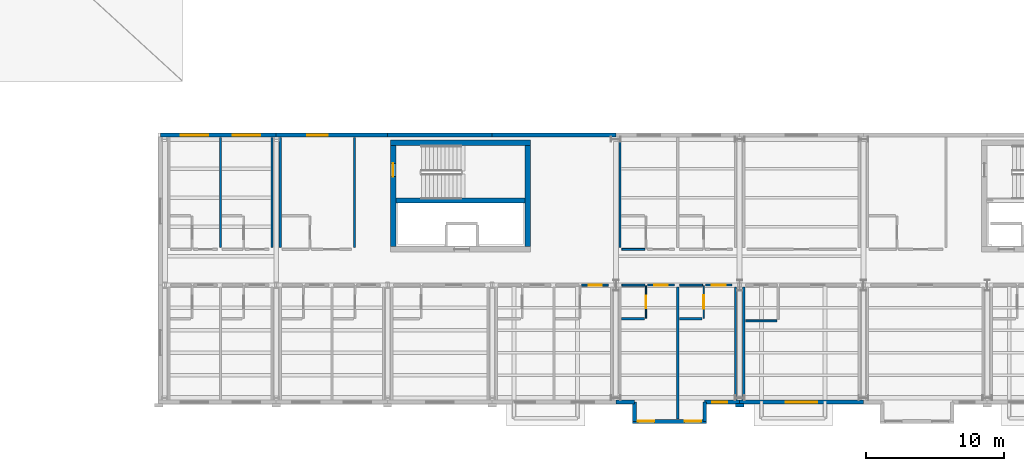
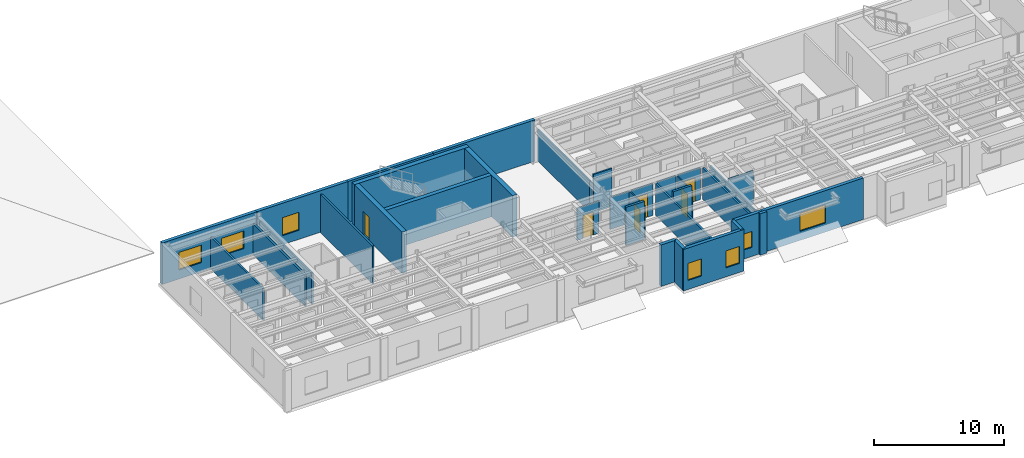
# One storey, part 27 of 46: 34 walls, 7 windows, 6 doors, 13 openings.
"""IFC4 building model written with IfcOpenShell, lengths in metres."""

from ifc_helpers import new_model, si_unit, direction, frame, frame_2d, origin, place, context, subcontext, project, spatial, rectangle, extrude, material, layer, layer_set, type_object, element, fill, save


model = new_model("IFC4")

# Units and contexts
model_context = context("Model", 3, precision=1e-05, world=origin(), true_north=direction((0.0, 1.0)))
body_context = subcontext(model_context, "Body", "Model", "MODEL_VIEW")
ifc_project = project(units=[si_unit("LENGTHUNIT", "METRE"), si_unit("AREAUNIT", "SQUARE_METRE"), si_unit("VOLUMEUNIT", "CUBIC_METRE"), si_unit("PLANEANGLEUNIT", "RADIAN"), si_unit("MASSUNIT", "GRAM", prefix="KILO")], contexts=[model_context])

# Site, building, storey
site_placement = place(None, origin())
site = spatial("IfcSite", under=ifc_project, at=site_placement, CompositionType="ELEMENT")
building_placement = place(site_placement, origin())
building = spatial("IfcBuilding", under=site, at=building_placement, Name="Sollismere Congress Hotel", CompositionType="ELEMENT")
storey_placement = place(building_placement, frame((0.0, 0.0, 19.5)))
storey = spatial("IfcBuildingStorey", under=building, at=storey_placement, Name="L04", CompositionType="ELEMENT", Elevation=19.5)

# Wall
ifc_material_1 = material(Name="Colorado Buff Sandstone Rainscreen on Insulated Backup", Category="masonry")
ifc_layer_1 = layer(ifc_material_1, 0.284912109375, Name="Colorado Buff Sandstone Rainscreen on Insulated Backup")
ifc_layer_set_1 = layer_set([ifc_layer_1], Name="Colorado Buff Sandstone Rainscreen on Insulated Backup")
wall_type_1 = type_object("IfcWallType", Name="WL-EXT285", PredefinedType="STANDARD", material=ifc_layer_set_1)
wall_1_placement = place(storey_placement, frame((67.0, -0.31005859375, 0.0), z_axis=(0.0, 0.0, 1.0), x_axis=(1.0, 0.0, 0.0)))
element("IfcWall", 1, at=wall_1_placement, inside=storey, type_object=wall_type_1, Name="Exterior wall EW-L04-484", PredefinedType="STANDARD", context=body_context, shape_type="SweptSolid", body=[
    extrude(rectangle(XDim=1.340087890625, YDim=0.284912109375, at=frame_2d((0.669921875, 0.0))), origin(), (0.0, 0.0, 1.0), 3.89990234375),
])

# Wall, opening, window
wall_2_placement = place(storey_placement, frame((73.4599609375, -0.31005859375, 0.0), z_axis=(0.0, 0.0, 1.0), x_axis=(1.0, 0.0, 0.0)))
wall_2 = element("IfcWall", 2, at=wall_2_placement, inside=storey, type_object=wall_type_1, Name="Exterior wall EW-L04-485", PredefinedType="STANDARD", context=body_context, shape_type="SweptSolid", body=[
    extrude(rectangle(XDim=2.5400390625, YDim=0.284912109375, at=frame_2d((1.27001953125, 0.0))), origin(), (0.0, 0.0, 1.0), 3.89990234375),
])
opening_1_placement = place(wall_2_placement, frame((0.544921875, 0.0, 0.85009765625)))
opening_1 = element("IfcOpeningElement", 3, at=opening_1_placement, cuts=wall_2, Name="Opening W-L04-373", PredefinedType="OPENING", context=body_context, shape_type="SweptSolid", body=[
    extrude(rectangle(XDim=1.10009765625, YDim=1.5, at=frame_2d((0.550048828125, 0.75))), frame((0.0, 0.15234375, 0.0), z_axis=(0.0, -1.0, 0.0), x_axis=(1.0, 0.0, 0.0)), (0.0, 0.0, 1.0), 0.304931640625),
])
ifc_material_2 = material(Name="Thermally Broken Bronze Aluminum & Low-E Glass", Category="aluminium")
window_type_1 = type_object("IfcWindowType", Name="WN-P110x150", PartitioningType="SINGLE_PANEL", PredefinedType="WINDOW", material=ifc_material_2)
window_1_placement = place(opening_1_placement, origin())
window_1 = element("IfcWindow", 4, at=window_1_placement, inside=storey, type_object=window_type_1, Name="WIN-W-L04-373", OverallHeight=1.5, OverallWidth=1.10009765625, PartitioningType="SINGLE_PANEL", PredefinedType="WINDOW", context=body_context, shape_type="SweptSolid", body=[
    extrude(rectangle(XDim=1.10009765625, YDim=1.5, at=frame_2d((0.550048828125, 0.75))), frame((0.0, 0.030029296875, 0.0), z_axis=(0.0, -1.0, 0.0), x_axis=(1.0, 0.0, 0.0)), (0.0, 0.0, 1.0), 0.06005859375),
])
fill(opening_1, window_1)

# Wall, openings, windows
wall_3_placement = place(storey_placement, frame((68.199951171875, -1.699951171875, 0.0), z_axis=(0.0, 0.0, 1.0), x_axis=(1.0, 0.0, 0.0)))
wall_3 = element("IfcWall", 5, at=wall_3_placement, inside=storey, type_object=wall_type_1, Name="Exterior wall EW-L04-486", PredefinedType="STANDARD", context=body_context, shape_type="SweptSolid", body=[
    extrude(rectangle(XDim=5.400146484375, YDim=0.284912109375, at=frame_2d((2.7001953125, 0.0))), origin(), (0.0, 0.0, 1.0), 3.89990234375),
])
opening_2_placement = place(wall_3_placement, frame((0.39990234375, 0.0, 0.85009765625)))
opening_2 = element("IfcOpeningElement", 6, at=opening_2_placement, cuts=wall_3, Name="Opening W-L04-374", PredefinedType="OPENING", context=body_context, shape_type="SweptSolid", body=[
    extrude(rectangle(XDim=1.199951171875, YDim=1.60009765625, at=frame_2d((0.60009765625, 0.800048828125))), frame((0.0, 0.15234375, 0.0), z_axis=(0.0, -1.0, 0.0), x_axis=(1.0, 0.0, 0.0)), (0.0, 0.0, 1.0), 0.304931640625),
])
opening_3_placement = place(wall_3_placement, frame((3.800048828125, 0.0, 0.85009765625)))
opening_3 = element("IfcOpeningElement", 7, at=opening_3_placement, cuts=wall_3, Name="Opening W-L04-375", PredefinedType="OPENING", context=body_context, shape_type="SweptSolid", body=[
    extrude(rectangle(XDim=1.199951171875, YDim=1.60009765625, at=frame_2d((0.60009765625, 0.800048828125))), frame((0.0, 0.15234375, 0.0), z_axis=(0.0, -1.0, 0.0), x_axis=(1.0, 0.0, 0.0)), (0.0, 0.0, 1.0), 0.304931640625),
])
window_type_2 = type_object("IfcWindowType", Name="WN-P120x160", PartitioningType="SINGLE_PANEL", PredefinedType="WINDOW", material=ifc_material_2)
window_2_placement = place(opening_2_placement, origin())
window_2 = element("IfcWindow", 8, at=window_2_placement, inside=storey, type_object=window_type_2, Name="WIN-W-L04-374", OverallHeight=1.60009765625, OverallWidth=1.199951171875, PartitioningType="SINGLE_PANEL", PredefinedType="WINDOW", context=body_context, shape_type="SweptSolid", body=[
    extrude(rectangle(XDim=1.199951171875, YDim=1.60009765625, at=frame_2d((0.60009765625, 0.800048828125))), frame((0.0, 0.030029296875, 0.0), z_axis=(0.0, -1.0, 0.0), x_axis=(1.0, 0.0, 0.0)), (0.0, 0.0, 1.0), 0.06005859375),
])
fill(opening_2, window_2)
window_3_placement = place(opening_3_placement, origin())
window_3 = element("IfcWindow", 9, at=window_3_placement, inside=storey, type_object=window_type_2, Name="WIN-W-L04-375", OverallHeight=1.60009765625, OverallWidth=1.199951171875, PartitioningType="SINGLE_PANEL", PredefinedType="WINDOW", context=body_context, shape_type="SweptSolid", body=[
    extrude(rectangle(XDim=1.199951171875, YDim=1.60009765625, at=frame_2d((0.60009765625, 0.800048828125))), frame((0.0, 0.030029296875, 0.0), z_axis=(0.0, -1.0, 0.0), x_axis=(1.0, 0.0, 0.0)), (0.0, 0.0, 1.0), 0.06005859375),
])
fill(opening_3, window_3)

# Walls
for number, where, z_axis, x_axis, name in (
    (10, (68.340087890625, -0.31005859375, 0.0), (0.0, 0.0, 1.0), (0.0, -1.0, 0.0), "Exterior wall EW-L04-487"),
    (11, (73.4599609375, -1.699951171875, 0.0), (0.0, 0.0, 1.0), (0.0, 1.0, 0.0), "Exterior wall EW-L04-488"),
):
    element("IfcWall", number, at=place(storey_placement, frame(where, z_axis=z_axis, x_axis=x_axis)), inside=storey, type_object=wall_type_1, Name=name, PredefinedType="STANDARD", context=body_context, shape_type="SweptSolid", body=[
        extrude(rectangle(XDim=1.389892578125, YDim=0.284912109375, at=frame_2d((0.69482421875, 0.0))), origin(), (0.0, 0.0, 1.0), 3.89990234375),
    ])

# Wall, opening, window
wall_4_placement = place(storey_placement, frame((76.0, -0.31005859375, 0.0), z_axis=(0.0, 0.0, 1.0), x_axis=(1.0, 0.0, 0.0)))
wall_4 = element("IfcWall", 12, at=wall_4_placement, inside=storey, type_object=wall_type_1, Name="Exterior wall EW-L04-489", PredefinedType="STANDARD", context=body_context, shape_type="SweptSolid", body=[
    extrude(rectangle(XDim=9.0, YDim=0.284912109375, at=frame_2d((4.5, 0.0))), origin(), (0.0, 0.0, 1.0), 3.89990234375),
])
opening_4_placement = place(wall_4_placement, frame((3.35009765625, 0.0, 0.85009765625)))
opening_4 = element("IfcOpeningElement", 13, at=opening_4_placement, cuts=wall_4, Name="Opening W-L04-376", PredefinedType="OPENING", context=body_context, shape_type="SweptSolid", body=[
    extrude(rectangle(XDim=2.300048828125, YDim=1.699951171875, at=frame_2d((1.14990234375, 0.85009765625))), frame((0.0, 0.15234375, 0.0), z_axis=(0.0, -1.0, 0.0), x_axis=(1.0, 0.0, 0.0)), (0.0, 0.0, 1.0), 0.304931640625),
])
window_type_3 = type_object("IfcWindowType", Name="WN-P230x170", PartitioningType="SINGLE_PANEL", PredefinedType="WINDOW", material=ifc_material_2)
window_4_placement = place(opening_4_placement, origin())
window_4 = element("IfcWindow", 14, at=window_4_placement, inside=storey, type_object=window_type_3, Name="WIN-W-L04-376", OverallHeight=1.699951171875, OverallWidth=2.300048828125, PartitioningType="SINGLE_PANEL", PredefinedType="WINDOW", context=body_context, shape_type="SweptSolid", body=[
    extrude(rectangle(XDim=2.300048828125, YDim=1.699951171875, at=frame_2d((1.14990234375, 0.85009765625))), frame((0.0, 0.030029296875, 0.0), z_axis=(0.0, -1.0, 0.0), x_axis=(1.0, 0.0, 0.0)), (0.0, 0.0, 1.0), 0.06005859375),
])
fill(opening_4, window_4)

# Wall, openings, windows
wall_5_placement = place(storey_placement, frame((42.300048828125, 19.110107421875, 0.0), z_axis=(0.0, 0.0, 1.0), x_axis=(-1.0, 0.0, 0.0)))
wall_5 = element("IfcWall", 15, at=wall_5_placement, inside=storey, type_object=wall_type_1, Name="Exterior wall EW-L04-544", PredefinedType="STANDARD", context=body_context, shape_type="SweptSolid", body=[
    extrude(rectangle(XDim=8.41015625, YDim=0.284912109375, at=frame_2d((4.205078125, 0.0))), origin(), (0.0, 0.0, 1.0), 3.89990234375),
])
opening_5_placement = place(wall_5_placement, frame((4.925048828125, 0.0, 0.85009765625)))
opening_5 = element("IfcOpeningElement", 16, at=opening_5_placement, cuts=wall_5, Name="Opening W-L04-406", PredefinedType="OPENING", context=body_context, shape_type="SweptSolid", body=[
    extrude(rectangle(XDim=2.0, YDim=1.64990234375, at=frame_2d((1.0, 0.824951171875))), frame((0.0, 0.15234375, 0.0), z_axis=(0.0, -1.0, 0.0), x_axis=(1.0, 0.0, 0.0)), (0.0, 0.0, 1.0), 0.304931640625),
])
opening_6_placement = place(wall_5_placement, frame((1.175048828125, 0.0, 0.85009765625)))
opening_6 = element("IfcOpeningElement", 17, at=opening_6_placement, cuts=wall_5, Name="Opening W-L04-407", PredefinedType="OPENING", context=body_context, shape_type="SweptSolid", body=[
    extrude(rectangle(XDim=2.0, YDim=1.64990234375, at=frame_2d((1.0, 0.824951171875))), frame((0.0, 0.15234375, 0.0), z_axis=(0.0, -1.0, 0.0), x_axis=(1.0, 0.0, 0.0)), (0.0, 0.0, 1.0), 0.304931640625),
])
window_type_4 = type_object("IfcWindowType", Name="WN-P200x165", PartitioningType="SINGLE_PANEL", PredefinedType="WINDOW", material=ifc_material_2)
window_5_placement = place(opening_5_placement, origin())
window_5 = element("IfcWindow", 18, at=window_5_placement, inside=storey, type_object=window_type_4, Name="WIN-W-L04-406", OverallHeight=1.64990234375, OverallWidth=2.0, PartitioningType="SINGLE_PANEL", PredefinedType="WINDOW", context=body_context, shape_type="SweptSolid", body=[
    extrude(rectangle(XDim=2.0, YDim=1.64990234375, at=frame_2d((1.0, 0.824951171875))), frame((0.0, 0.030029296875, 0.0), z_axis=(0.0, -1.0, 0.0), x_axis=(1.0, 0.0, 0.0)), (0.0, 0.0, 1.0), 0.06005859375),
])
fill(opening_5, window_5)
window_6_placement = place(opening_6_placement, origin())
window_6 = element("IfcWindow", 19, at=window_6_placement, inside=storey, type_object=window_type_4, Name="WIN-W-L04-407", OverallHeight=1.64990234375, OverallWidth=2.0, PartitioningType="SINGLE_PANEL", PredefinedType="WINDOW", context=body_context, shape_type="SweptSolid", body=[
    extrude(rectangle(XDim=2.0, YDim=1.64990234375, at=frame_2d((1.0, 0.824951171875))), frame((0.0, 0.030029296875, 0.0), z_axis=(0.0, -1.0, 0.0), x_axis=(1.0, 0.0, 0.0)), (0.0, 0.0, 1.0), 0.06005859375),
])
fill(opening_6, window_6)

# Wall, opening, window
wall_6_placement = place(storey_placement, frame((50.39990234375, 19.110107421875, 0.0), z_axis=(0.0, 0.0, 1.0), x_axis=(-1.0, 0.0, 0.0)))
wall_6 = element("IfcWall", 20, at=wall_6_placement, inside=storey, type_object=wall_type_1, Name="Exterior wall EW-L04-545", PredefinedType="STANDARD", context=body_context, shape_type="SweptSolid", body=[
    extrude(rectangle(XDim=8.099853515625, YDim=0.284912109375, at=frame_2d((4.0498046875, 0.0))), origin(), (0.0, 0.0, 1.0), 3.89990234375),
])
opening_7_placement = place(wall_6_placement, frame((4.35009765625, 0.0, 0.85009765625)))
opening_7 = element("IfcOpeningElement", 21, at=opening_7_placement, cuts=wall_6, Name="Opening W-L04-408", PredefinedType="OPENING", context=body_context, shape_type="SweptSolid", body=[
    extrude(rectangle(XDim=1.5, YDim=1.699951171875, at=frame_2d((0.75, 0.85009765625))), frame((0.0, 0.15234375, 0.0), z_axis=(0.0, -1.0, 0.0), x_axis=(1.0, 0.0, 0.0)), (0.0, 0.0, 1.0), 0.304931640625),
])
window_type_5 = type_object("IfcWindowType", Name="WN-P150x170", PartitioningType="SINGLE_PANEL", PredefinedType="WINDOW", material=ifc_material_2)
window_7_placement = place(opening_7_placement, origin())
window_7 = element("IfcWindow", 22, at=window_7_placement, inside=storey, type_object=window_type_5, Name="WIN-W-L04-408", OverallHeight=1.699951171875, OverallWidth=1.5, PartitioningType="SINGLE_PANEL", PredefinedType="WINDOW", context=body_context, shape_type="SweptSolid", body=[
    extrude(rectangle(XDim=1.5, YDim=1.699951171875, at=frame_2d((0.75, 0.85009765625))), frame((0.0, 0.030029296875, 0.0), z_axis=(0.0, -1.0, 0.0), x_axis=(1.0, 0.0, 0.0)), (0.0, 0.0, 1.0), 0.06005859375),
])
fill(opening_7, window_7)

# Walls
wall_7_placement = place(storey_placement, frame((58.0, 19.110107421875, 0.0), z_axis=(0.0, 0.0, 1.0), x_axis=(-1.0, 0.0, 0.0)))
element("IfcWall", 23, at=wall_7_placement, inside=storey, type_object=wall_type_1, Name="Exterior wall EW-L04-546", PredefinedType="STANDARD", context=body_context, shape_type="SweptSolid", body=[
    extrude(rectangle(XDim=7.60009765625, YDim=0.284912109375, at=frame_2d((3.800048828125, 0.0))), origin(), (0.0, 0.0, 1.0), 3.89990234375),
])
wall_8_placement = place(storey_placement, frame((67.0, 19.110107421875, 0.0), z_axis=(0.0, 0.0, 1.0), x_axis=(-1.0, 0.0, 0.0)))
element("IfcWall", 24, at=wall_8_placement, inside=storey, type_object=wall_type_1, Name="Exterior wall EW-L04-547", PredefinedType="STANDARD", context=body_context, shape_type="SweptSolid", body=[
    extrude(rectangle(XDim=9.0, YDim=0.284912109375, at=frame_2d((4.5, 0.0))), origin(), (0.0, 0.0, 1.0), 3.89990234375),
])
ifc_material_3 = material(Name="Carved Travertine Pilaster & Frieze Assembly", Category="masonry")
ifc_layer_2 = layer(ifc_material_3, 0.260009765625, Name="Carved Travertine Pilaster & Frieze Assembly")
ifc_layer_set_2 = layer_set([ifc_layer_2], Name="Carved Travertine Pilaster & Frieze Assembly")
wall_type_2 = type_object("IfcWallType", Name="WL-PIL280", PredefinedType="ELEMENTEDWALL", material=ifc_layer_set_2)
wall_9_placement = place(storey_placement, frame((75.699951171875, -0.52001953125, 0.0), z_axis=(0.0, 0.0, 1.0), x_axis=(1.0, 0.0, 0.0)))
element("IfcWall", 25, at=wall_9_placement, inside=storey, type_object=wall_type_2, Name="Exterior wall EW-L04-490", PredefinedType="ELEMENTEDWALL", context=body_context, shape_type="SweptSolid", body=[
    extrude(rectangle(XDim=0.60009765625, YDim=0.260009765625, at=frame_2d((0.300048828125, 0.0))), origin(), (0.0, 0.0, 1.0), 3.89990234375),
])
ifc_material_4 = material(Name="Moisture-Resistant Shaft Gypsum Assembly")
ifc_layer_3 = layer(ifc_material_4, 0.199951171875, Name="Moisture-Resistant Shaft Gypsum Assembly")
ifc_layer_set_3 = layer_set([ifc_layer_3], Name="Moisture-Resistant Shaft Gypsum Assembly")
wall_type_3 = type_object("IfcWallType", Name="WL-PLM200", PredefinedType="PLUMBINGWALL", material=ifc_layer_set_3)
wall_10_placement = place(storey_placement, frame((67.419921875, 5.75, 0.0), z_axis=(0.0, 0.0, 1.0), x_axis=(1.0, 0.0, 0.0)))
element("IfcWall", 26, at=wall_10_placement, inside=storey, type_object=wall_type_3, Name="Interior wall IW-L04-1544", PredefinedType="PLUMBINGWALL", context=body_context, shape_type="SweptSolid", body=[
    extrude(rectangle(XDim=1.650146484375, YDim=0.199951171875, at=frame_2d((0.8251953125, 0.0))), origin(), (0.0, 0.0, 1.0), 3.5849609375),
])
wall_11_placement = place(storey_placement, frame((71.6201171875, 5.75, 0.0), z_axis=(0.0, 0.0, 1.0), x_axis=(1.0, 0.0, 0.0)))
element("IfcWall", 27, at=wall_11_placement, inside=storey, type_object=wall_type_3, Name="Interior wall IW-L04-1549", PredefinedType="PLUMBINGWALL", context=body_context, shape_type="SweptSolid", body=[
    extrude(rectangle(XDim=1.64990234375, YDim=0.199951171875, at=frame_2d((0.824951171875, 0.0))), origin(), (0.0, 0.0, 1.0), 3.5849609375),
])

# Wall, opening, door
ifc_material_5 = material(Name="Moisture-Resistant Gypsum Partition")
ifc_layer_4 = layer(ifc_material_5, 0.10009765625, Name="Moisture-Resistant Gypsum Partition")
ifc_layer_set_4 = layer_set([ifc_layer_4], Name="Moisture-Resistant Gypsum Partition")
wall_type_4 = type_object("IfcWallType", Name="WL-PRT100", PredefinedType="PARTITIONING", material=ifc_layer_set_4)
wall_12_placement = place(storey_placement, frame((69.18994140625, 5.7900390625, 0.0), z_axis=(0.0, 0.0, 1.0), x_axis=(0.0, 1.0, 0.0)))
wall_12 = element("IfcWall", 28, at=wall_12_placement, inside=storey, type_object=wall_type_4, Name="Interior wall IW-L04-1543", PredefinedType="PARTITIONING", context=body_context, shape_type="SweptSolid", body=[
    extrude(rectangle(XDim=2.369873046875, YDim=0.10009765625, at=frame_2d((1.18505859375, 0.0))), origin(), (0.0, 0.0, 1.0), 2.998046875),
])
opening_8_placement = place(wall_12_placement, frame((0.719970703125, 0.0, 0.0)))
opening_8 = element("IfcOpeningElement", 29, at=opening_8_placement, cuts=wall_12, Name="Opening D-L04-0544", PredefinedType="OPENING", context=body_context, shape_type="SweptSolid", body=[
    extrude(rectangle(XDim=0.929931640625, YDim=2.219970703125, at=frame_2d((0.46484375, 1.10986328125))), frame((0.0, 0.06005859375, 0.0), z_axis=(0.0, -1.0, 0.0), x_axis=(1.0, 0.0, 0.0)), (0.0, 0.0, 1.0), 0.1201171875),
])
ifc_material_6 = material(Name="Moisture-Sealed Timber Bathroom Door", Category="wood")
door_type_1 = type_object("IfcDoorType", Name="DR-BT07", OperationType="NOTDEFINED", PredefinedType="DOOR", material=ifc_material_6)
door_1_placement = place(opening_8_placement, origin())
door_1 = element("IfcDoor", 30, at=door_1_placement, inside=storey, type_object=door_type_1, Name="En-suite bathroom door D-L04-0544", OperationType="SINGLE_SWING_LEFT", OverallHeight=2.219970703125, OverallWidth=0.929931640625, PredefinedType="DOOR", context=body_context, shape_type="SweptSolid", body=[
    extrude(rectangle(XDim=0.929931640625, YDim=2.219970703125, at=frame_2d((0.46484375, 1.10986328125))), frame((0.0, 0.02490234375, 0.0), z_axis=(0.0, -1.0, 0.0), x_axis=(1.0, 0.0, 0.0)), (0.0, 0.0, 1.0), 0.050048828125),
])
fill(opening_8, door_1)

wall_13_placement = place(storey_placement, frame((73.389892578125, 5.7900390625, 0.0), z_axis=(0.0, 0.0, 1.0), x_axis=(0.0, 1.0, 0.0)))
wall_13 = element("IfcWall", 31, at=wall_13_placement, inside=storey, type_object=wall_type_4, Name="Interior wall IW-L04-1548", PredefinedType="PARTITIONING", context=body_context, shape_type="SweptSolid", body=[
    extrude(rectangle(XDim=2.369873046875, YDim=0.10009765625, at=frame_2d((1.18505859375, 0.0))), origin(), (0.0, 0.0, 1.0), 2.998046875),
])
opening_9_placement = place(wall_13_placement, frame((0.7080078125, 0.0, 0.0)))
opening_9 = element("IfcOpeningElement", 32, at=opening_9_placement, cuts=wall_13, Name="Opening D-L04-0546", PredefinedType="OPENING", context=body_context, shape_type="SweptSolid", body=[
    extrude(rectangle(XDim=0.955078125, YDim=2.219970703125, at=frame_2d((0.4775390625, 1.10986328125))), frame((0.0, 0.06005859375, 0.0), z_axis=(0.0, -1.0, 0.0), x_axis=(1.0, 0.0, 0.0)), (0.0, 0.0, 1.0), 0.1201171875),
])
door_type_2 = type_object("IfcDoorType", Name="DR-BT08", OperationType="NOTDEFINED", PredefinedType="DOOR", material=ifc_material_6)
door_2_placement = place(opening_9_placement, origin())
door_2 = element("IfcDoor", 33, at=door_2_placement, inside=storey, type_object=door_type_2, Name="En-suite bathroom door D-L04-0546", OperationType="SINGLE_SWING_LEFT", OverallHeight=2.219970703125, OverallWidth=0.955078125, PredefinedType="DOOR", context=body_context, shape_type="SweptSolid", body=[
    extrude(rectangle(XDim=0.955078125, YDim=2.219970703125, at=frame_2d((0.4775390625, 1.10986328125))), frame((0.0, 0.02490234375, 0.0), z_axis=(0.0, -1.0, 0.0), x_axis=(1.0, 0.0, 0.0)), (0.0, 0.0, 1.0), 0.050048828125),
])
fill(opening_9, door_2)

ifc_material_7 = material(Name="Fire-Rated Gypsum Partition")
ifc_layer_5 = layer(ifc_material_7, 0.139892578125, Name="Fire-Rated Gypsum Partition")
ifc_layer_set_5 = layer_set([ifc_layer_5], Name="Fire-Rated Gypsum Partition")
wall_type_5 = type_object("IfcWallType", Name="WL-PRT140R", PredefinedType="PARTITIONING", material=ifc_layer_set_5)
wall_14_placement = place(storey_placement, frame((64.510009765625, 8.199951171875, 0.0), z_axis=(0.0, 0.0, 1.0), x_axis=(1.0, 0.0, 0.0)))
wall_14 = element("IfcWall", 34, at=wall_14_placement, inside=storey, type_object=wall_type_5, Name="Interior wall IW-L04-1535", PredefinedType="PARTITIONING", context=body_context, shape_type="SweptSolid", body=[
    extrude(rectangle(XDim=1.949951171875, YDim=0.139892578125, at=frame_2d((0.97509765625, 0.0))), origin(), (0.0, 0.0, 1.0), 2.998046875),
])
opening_10_placement = place(wall_14_placement, frame((0.5, 0.0, 0.0)))
opening_10 = element("IfcOpeningElement", 35, at=opening_10_placement, cuts=wall_14, Name="Opening D-L04-0541", PredefinedType="OPENING", context=body_context, shape_type="SweptSolid", body=[
    extrude(rectangle(XDim=0.949951171875, YDim=2.14990234375, at=frame_2d((0.47509765625, 1.074951171875))), frame((0.0, 0.079833984375, 0.0), z_axis=(0.0, -1.0, 0.0), x_axis=(1.0, 0.0, 0.0)), (0.0, 0.0, 1.0), 0.159912109375),
])
ifc_material_8 = material(Name="Solid-Core Acoustic Walnut Guestroom Entry Door")
door_type_3 = type_object("IfcDoorType", Name="DR-KY02", OperationType="NOTDEFINED", PredefinedType="DOOR", material=ifc_material_8)
door_3_placement = place(opening_10_placement, origin())
door_3 = element("IfcDoor", 36, at=door_3_placement, inside=storey, type_object=door_type_3, Name="Hotel room entry door D-L04-0541", OperationType="SINGLE_SWING_RIGHT", OverallHeight=2.14990234375, OverallWidth=0.949951171875, PredefinedType="DOOR", context=body_context, shape_type="SweptSolid", body=[
    extrude(rectangle(XDim=0.949951171875, YDim=2.14990234375, at=frame_2d((0.47509765625, 1.074951171875))), frame((0.0, 0.02490234375, 0.0), z_axis=(0.0, -1.0, 0.0), x_axis=(1.0, 0.0, 0.0)), (0.0, 0.0, 1.0), 0.050048828125),
])
fill(opening_10, door_3)

# Wall
wall_15_placement = place(storey_placement, frame((67.43994140625, 8.199951171875, 0.0), z_axis=(0.0, 0.0, 1.0), x_axis=(1.0, 0.0, 0.0)))
element("IfcWall", 37, at=wall_15_placement, inside=storey, type_object=wall_type_5, Name="Interior wall IW-L04-1539", PredefinedType="PARTITIONING", context=body_context, shape_type="SweptSolid", body=[
    extrude(rectangle(XDim=1.670166015625, YDim=0.139892578125, at=frame_2d((0.8349609375, 0.0))), origin(), (0.0, 0.0, 1.0), 2.998046875),
])

# Wall, opening, door
wall_16_placement = place(storey_placement, frame((69.31005859375, 8.199951171875, 0.0), z_axis=(0.0, 0.0, 1.0), x_axis=(1.0, 0.0, 0.0)))
wall_16 = element("IfcWall", 38, at=wall_16_placement, inside=storey, type_object=wall_type_5, Name="Interior wall IW-L04-1540", PredefinedType="PARTITIONING", context=body_context, shape_type="SweptSolid", body=[
    extrude(rectangle(XDim=1.949951171875, YDim=0.139892578125, at=frame_2d((0.97509765625, 0.0))), origin(), (0.0, 0.0, 1.0), 2.998046875),
])
opening_11_placement = place(wall_16_placement, frame((0.485107421875, 0.0, 0.0)))
opening_11 = element("IfcOpeningElement", 39, at=opening_11_placement, cuts=wall_16, Name="Opening D-L04-0543", PredefinedType="OPENING", context=body_context, shape_type="SweptSolid", body=[
    extrude(rectangle(XDim=0.97998046875, YDim=2.199951171875, at=frame_2d((0.489990234375, 1.10009765625))), frame((0.0, 0.079833984375, 0.0), z_axis=(0.0, -1.0, 0.0), x_axis=(1.0, 0.0, 0.0)), (0.0, 0.0, 1.0), 0.159912109375),
])
door_type_4 = type_object("IfcDoorType", Name="DR-KY03", OperationType="NOTDEFINED", PredefinedType="DOOR", material=ifc_material_8)
door_4_placement = place(opening_11_placement, origin())
door_4 = element("IfcDoor", 40, at=door_4_placement, inside=storey, type_object=door_type_4, Name="Hotel room entry door D-L04-0543", OperationType="SINGLE_SWING_RIGHT", OverallHeight=2.199951171875, OverallWidth=0.97998046875, PredefinedType="DOOR", context=body_context, shape_type="SweptSolid", body=[
    extrude(rectangle(XDim=0.97998046875, YDim=2.199951171875, at=frame_2d((0.489990234375, 1.10009765625))), frame((0.0, 0.02490234375, 0.0), z_axis=(0.0, -1.0, 0.0), x_axis=(1.0, 0.0, 0.0)), (0.0, 0.0, 1.0), 0.050048828125),
])
fill(opening_11, door_4)

# Wall
wall_17_placement = place(storey_placement, frame((71.639892578125, 8.199951171875, 0.0), z_axis=(0.0, 0.0, 1.0), x_axis=(1.0, 0.0, 0.0)))
element("IfcWall", 41, at=wall_17_placement, inside=storey, type_object=wall_type_5, Name="Interior wall IW-L04-1545", PredefinedType="PARTITIONING", context=body_context, shape_type="SweptSolid", body=[
    extrude(rectangle(XDim=1.670166015625, YDim=0.139892578125, at=frame_2d((0.8349609375, 0.0))), origin(), (0.0, 0.0, 1.0), 2.998046875),
])

# Wall, opening, door
wall_18_placement = place(storey_placement, frame((73.510009765625, 8.199951171875, 0.0), z_axis=(0.0, 0.0, 1.0), x_axis=(1.0, 0.0, 0.0)))
wall_18 = element("IfcWall", 42, at=wall_18_placement, inside=storey, type_object=wall_type_5, Name="Interior wall IW-L04-1546", PredefinedType="PARTITIONING", context=body_context, shape_type="SweptSolid", body=[
    extrude(rectangle(XDim=1.949951171875, YDim=0.139892578125, at=frame_2d((0.97509765625, 0.0))), origin(), (0.0, 0.0, 1.0), 2.998046875),
])
opening_12_placement = place(wall_18_placement, frame((0.469970703125, 0.0, 0.0)))
opening_12 = element("IfcOpeningElement", 43, at=opening_12_placement, cuts=wall_18, Name="Opening D-L04-0545", PredefinedType="OPENING", context=body_context, shape_type="SweptSolid", body=[
    extrude(rectangle(XDim=1.010009765625, YDim=2.199951171875, at=frame_2d((0.5048828125, 1.10009765625))), frame((0.0, 0.079833984375, 0.0), z_axis=(0.0, -1.0, 0.0), x_axis=(1.0, 0.0, 0.0)), (0.0, 0.0, 1.0), 0.159912109375),
])
door_type_5 = type_object("IfcDoorType", Name="DR-KY04", OperationType="NOTDEFINED", PredefinedType="DOOR", material=ifc_material_8)
door_5_placement = place(opening_12_placement, origin())
door_5 = element("IfcDoor", 44, at=door_5_placement, inside=storey, type_object=door_type_5, Name="Hotel room entry door D-L04-0545", OperationType="SINGLE_SWING_RIGHT", OverallHeight=2.199951171875, OverallWidth=1.010009765625, PredefinedType="DOOR", context=body_context, shape_type="SweptSolid", body=[
    extrude(rectangle(XDim=1.010009765625, YDim=2.199951171875, at=frame_2d((0.5048828125, 1.10009765625))), frame((0.0, 0.02490234375, 0.0), z_axis=(0.0, -1.0, 0.0), x_axis=(1.0, 0.0, 0.0)), (0.0, 0.0, 1.0), 0.050048828125),
])
fill(opening_12, door_5)

# Walls
wall_19_placement = place(storey_placement, frame((67.43994140625, 10.800048828125, 0.0), z_axis=(0.0, 0.0, 1.0), x_axis=(1.0, 0.0, 0.0)))
element("IfcWall", 45, at=wall_19_placement, inside=storey, type_object=wall_type_5, Name="Interior wall IW-L04-1550", PredefinedType="PARTITIONING", context=body_context, shape_type="SweptSolid", body=[
    extrude(rectangle(XDim=1.670166015625, YDim=0.139892578125, at=frame_2d((0.8349609375, 0.0))), origin(), (0.0, 0.0, 1.0), 3.5849609375),
])
wall_20_placement = place(storey_placement, frame((76.43994140625, 5.60009765625, 0.0), z_axis=(0.0, 0.0, 1.0), x_axis=(1.0, 0.0, 0.0)))
element("IfcWall", 46, at=wall_20_placement, inside=storey, type_object=wall_type_5, Name="Interior wall IW-L04-1711", PredefinedType="PARTITIONING", context=body_context, shape_type="SweptSolid", body=[
    extrude(rectangle(XDim=2.260009765625, YDim=0.139892578125, at=frame_2d((1.1298828125, 0.0))), origin(), (0.0, 0.0, 1.0), 3.137939453125),
])
ifc_material_9 = material(Name="Fire-Rated Acoustic Gypsum Partition")
ifc_layer_6 = layer(ifc_material_9, 0.1650390625, Name="Fire-Rated Acoustic Gypsum Partition")
ifc_layer_set_6 = layer_set([ifc_layer_6], Name="Fire-Rated Acoustic Gypsum Partition")
wall_type_6 = type_object("IfcWallType", Name="WL-PRT165R", PredefinedType="PARTITIONING", material=ifc_layer_set_6)
wall_21_placement = place(storey_placement, frame((38.25, 10.93994140625, 0.0), z_axis=(0.0, 0.0, 1.0), x_axis=(0.0, 1.0, 0.0)))
element("IfcWall", 47, at=wall_21_placement, inside=storey, type_object=wall_type_6, Name="Interior wall IW-L04-1497", PredefinedType="PARTITIONING", context=body_context, shape_type="SweptSolid", body=[
    extrude(rectangle(XDim=8.012451171875, YDim=0.1650390625, at=frame_2d((4.00634765625, 0.0))), origin(), (0.0, 0.0, 1.0), 2.998046875),
])
for number, where, z_axis, x_axis, name in (
    (48, (42.0, 10.93994140625, 0.0), (0.0, 0.0, 1.0), (0.0, 1.0, 0.0), "Interior wall IW-L04-1502"),
    (49, (42.60009765625, 10.93994140625, 0.0), (0.0, 0.0, 1.0), (0.0, 1.0, 0.0), "Interior wall IW-L04-1518"),
):
    element("IfcWall", number, at=place(storey_placement, frame(where, z_axis=z_axis, x_axis=x_axis)), inside=storey, type_object=wall_type_6, Name=name, PredefinedType="PARTITIONING", context=body_context, shape_type="SweptSolid", body=[
        extrude(rectangle(XDim=8.012451171875, YDim=0.1650390625, at=frame_2d((4.00634765625, 0.0))), origin(), (0.0, 0.0, 1.0), 2.9140625),
    ])
wall_22_placement = place(storey_placement, frame((48.0, 10.93994140625, 0.0), z_axis=(0.0, 0.0, 1.0), x_axis=(0.0, 1.0, 0.0)))
element("IfcWall", 50, at=wall_22_placement, inside=storey, type_object=wall_type_6, Name="Interior wall IW-L04-1519", PredefinedType="PARTITIONING", context=body_context, shape_type="SweptSolid", body=[
    extrude(rectangle(XDim=8.012451171875, YDim=0.1650390625, at=frame_2d((4.00634765625, 0.0))), origin(), (0.0, 0.0, 1.0), 3.5849609375),
])
wall_23_placement = place(storey_placement, frame((71.5, -1.54248046875, 0.0), z_axis=(0.0, 0.0, 1.0), x_axis=(0.0, 1.0, 0.0)))
element("IfcWall", 51, at=wall_23_placement, inside=storey, type_object=wall_type_6, Name="Interior wall IW-L04-1542", PredefinedType="PARTITIONING", context=body_context, shape_type="SweptSolid", body=[
    extrude(rectangle(XDim=9.6025390625, YDim=0.1650390625, at=frame_2d((4.80126953125, 0.0))), origin(), (0.0, 0.0, 1.0), 2.97509765625),
])
wall_24_placement = place(storey_placement, frame((75.699951171875, -0.152587890625, 0.0), z_axis=(0.0, 0.0, 1.0), x_axis=(0.0, 1.0, 0.0)))
element("IfcWall", 52, at=wall_24_placement, inside=storey, type_object=wall_type_6, Name="Interior wall IW-L04-1547", PredefinedType="PARTITIONING", context=body_context, shape_type="SweptSolid", body=[
    extrude(rectangle(XDim=8.212646484375, YDim=0.1650390625, at=frame_2d((4.1064453125, 0.0))), origin(), (0.0, 0.0, 1.0), 2.97509765625),
])
wall_25_placement = place(storey_placement, frame((67.300048828125, 10.93994140625, 0.0), z_axis=(0.0, 0.0, 1.0), x_axis=(0.0, 1.0, 0.0)))
element("IfcWall", 53, at=wall_25_placement, inside=storey, type_object=wall_type_6, Name="Interior wall IW-L04-1552", PredefinedType="PARTITIONING", context=body_context, shape_type="SweptSolid", body=[
    extrude(rectangle(XDim=8.012451171875, YDim=0.1650390625, at=frame_2d((4.00634765625, 0.0))), origin(), (0.0, 0.0, 1.0), 2.9140625),
])
wall_26_placement = place(storey_placement, frame((76.300048828125, -0.152587890625, 0.0), z_axis=(0.0, 0.0, 1.0), x_axis=(0.0, 1.0, 0.0)))
element("IfcWall", 54, at=wall_26_placement, inside=storey, type_object=wall_type_6, Name="Interior wall IW-L04-1713", PredefinedType="PARTITIONING", context=body_context, shape_type="SweptSolid", body=[
    extrude(rectangle(XDim=8.212646484375, YDim=0.1650390625, at=frame_2d((4.1064453125, 0.0))), origin(), (0.0, 0.0, 1.0), 2.97509765625),
])
ifc_material_10 = material(Name="Concrete C50/60", Category="concrete")
ifc_layer_7 = layer(ifc_material_10, 0.35009765625, Name="Concrete C50/60")
ifc_layer_set_7 = layer_set([ifc_layer_7], Name="Concrete C50/60")
wall_type_7 = type_object("IfcWallType", Name="WL-SHR350", PredefinedType="SHEAR", material=ifc_layer_set_7)
wall_27_placement = place(storey_placement, frame((51.0, 14.35009765625, 0.0), z_axis=(0.0, 0.0, 1.0), x_axis=(1.0, 0.0, 0.0)))
element("IfcWall", 55, at=wall_27_placement, inside=storey, type_object=wall_type_7, Name="Interior wall IW-L04-0715", PredefinedType="SHEAR", context=body_context, shape_type="SweptSolid", body=[
    extrude(rectangle(XDim=9.39990234375, YDim=0.35009765625, at=frame_2d((4.699951171875, 0.0))), origin(), (0.0, 0.0, 1.0), 3.89990234375),
])
ifc_layer_8 = layer(ifc_material_10, 0.39990234375, Name="Concrete C50/60")
ifc_layer_set_8 = layer_set([ifc_layer_8], Name="Concrete C50/60")
wall_type_8 = type_object("IfcWallType", Name="WL-SHR400", PredefinedType="SHEAR", material=ifc_layer_set_8)
wall_28_placement = place(storey_placement, frame((60.800048828125, 18.550048828125, 0.0), z_axis=(0.0, 0.0, 1.0), x_axis=(-1.0, 0.0, 0.0)))
element("IfcWall", 56, at=wall_28_placement, inside=storey, type_object=wall_type_8, Name="Interior wall IW-L04-0712", PredefinedType="SHEAR", context=body_context, shape_type="SweptSolid", body=[
    extrude(rectangle(XDim=10.199951171875, YDim=0.39990234375, at=frame_2d((5.10009765625, 0.0))), origin(), (0.0, 0.0, 1.0), 3.89990234375),
])

# Wall, opening, door
wall_29_placement = place(storey_placement, frame((50.800048828125, 18.35009765625, 0.0), z_axis=(0.0, 0.0, 1.0), x_axis=(0.0, -1.0, 0.0)))
wall_29 = element("IfcWall", 57, at=wall_29_placement, inside=storey, type_object=wall_type_8, Name="Interior wall IW-L04-0713", PredefinedType="SHEAR", context=body_context, shape_type="SweptSolid", body=[
    extrude(rectangle(XDim=7.35009765625, YDim=0.39990234375, at=frame_2d((3.675048828125, 0.0))), origin(), (0.0, 0.0, 1.0), 3.89990234375),
])
opening_13_placement = place(wall_29_placement, frame((1.300048828125, 0.0, 0.0)))
opening_13 = element("IfcOpeningElement", 58, at=opening_13_placement, cuts=wall_29, Name="Opening D-ST-06-L04", PredefinedType="OPENING", context=body_context, shape_type="SweptSolid", body=[
    extrude(rectangle(XDim=0.949951171875, YDim=2.199951171875, at=frame_2d((0.47509765625, 1.10009765625))), frame((0.0, 0.2099609375, 0.0), z_axis=(0.0, -1.0, 0.0), x_axis=(1.0, 0.0, 0.0)), (0.0, 0.0, 1.0), 0.419921875),
])
ifc_material_11 = material(Name="Fire-Rated Insulated Steel Door", Category="steel")
door_type_6 = type_object("IfcDoorType", Name="DR-FD90", OperationType="NOTDEFINED", PredefinedType="DOOR", material=ifc_material_11)
door_6_placement = place(opening_13_placement, origin())
door_6 = element("IfcDoor", 59, at=door_6_placement, inside=storey, type_object=door_type_6, Name="Exit stair fire door D-ST-06-L04", OperationType="SINGLE_SWING_LEFT", OverallHeight=2.199951171875, OverallWidth=0.949951171875, PredefinedType="DOOR", context=body_context, shape_type="SweptSolid", body=[
    extrude(rectangle(XDim=0.949951171875, YDim=2.199951171875, at=frame_2d((0.47509765625, 1.10009765625))), frame((0.0, 0.02490234375, 0.0), z_axis=(0.0, -1.0, 0.0), x_axis=(1.0, 0.0, 0.0)), (0.0, 0.0, 1.0), 0.050048828125),
])
fill(opening_13, door_6)

# Wall
wall_30_placement = place(storey_placement, frame((60.60009765625, 11.0, 0.0), z_axis=(0.0, 0.0, 1.0), x_axis=(0.0, 1.0, 0.0)))
element("IfcWall", 60, at=wall_30_placement, inside=storey, type_object=wall_type_8, Name="Interior wall IW-L04-0714", PredefinedType="SHEAR", context=body_context, shape_type="SweptSolid", body=[
    extrude(rectangle(XDim=7.35009765625, YDim=0.39990234375, at=frame_2d((3.675048828125, 0.0))), origin(), (0.0, 0.0, 1.0), 3.89990234375),
])

save(model, "model.ifc")
